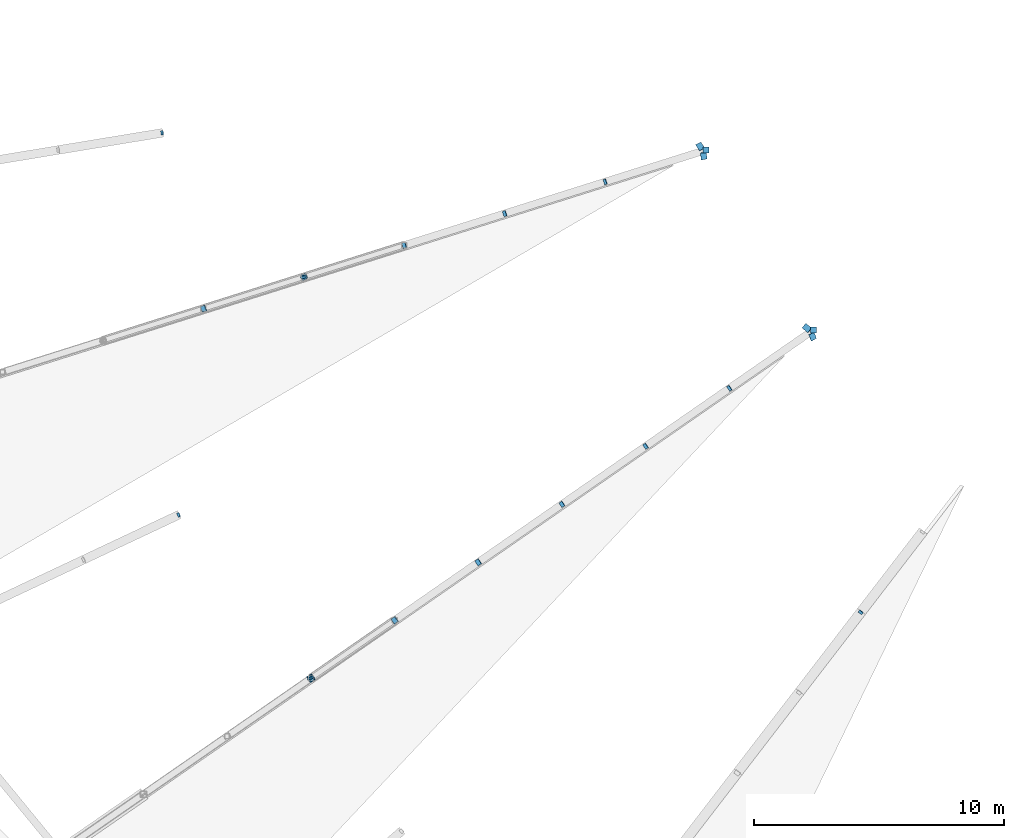
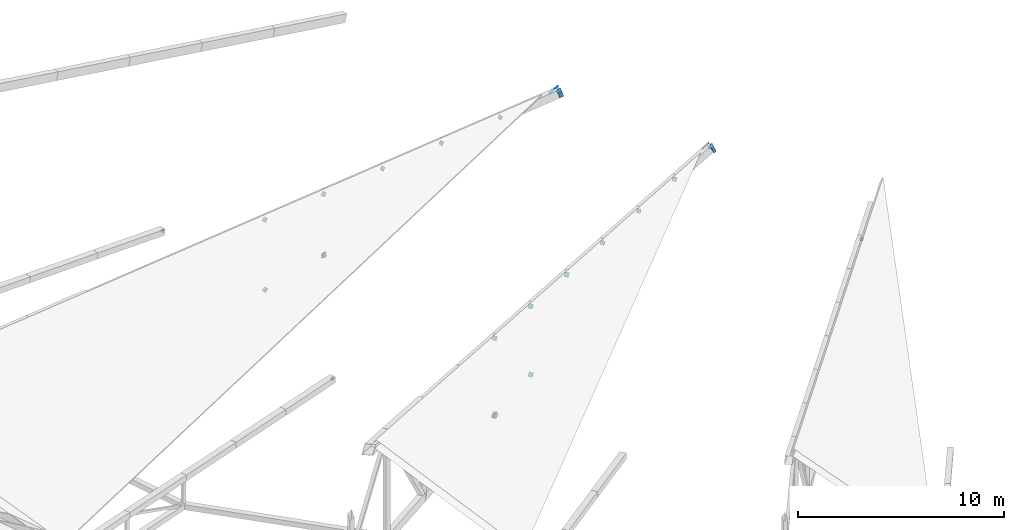
# One storey, part 126 of 188: 28 discrete accessories.
"""IFC4 building model written with IfcOpenShell, lengths in metres."""

import ifcopenshell
import ifcopenshell.guid

model = None  # the IFC model being written
_history = None  # IfcOwnerHistory: only IFC2X3 demands one
_inside = {}  # id of a spatial element -> (the spatial element, [elements in it])
_under = {}  # id of a project, library or spatial element -> (it, [spatial elements below it])
_declared = {}  # id of a project -> (the project, [libraries it declares])
_typed = {}  # id of a type object -> (the type object, [elements of that type])
_made_of = {}  # id of a material, layer set ... -> (it, [elements and type objects made of it])


def new_model(schema):
    """Start an empty IFC model of exactly this schema.

    Asked for "IFC4X3", IfcOpenShell would pick the latest addendum, in which some entities
    have other attributes; the version numbers below select the first issue.
    IFC2X3 requires an IfcOwnerHistory on every rooted entity: one is made here for all.
    """
    global model, _history
    if schema == "IFC4X3":
        model = ifcopenshell.file(schema_version=(4, 3, 0, 0))
    else:
        model = ifcopenshell.file(schema=schema)
    _inside.clear()
    _under.clear()
    _declared.clear()
    _typed.clear()
    _made_of.clear()
    _history = None
    if model.schema == "IFC2X3":
        org = make("IfcOrganization", Name="unknown")
        user = make(
            "IfcPersonAndOrganization",
            ThePerson=make("IfcPerson", FamilyName="unknown"),
            TheOrganization=org,
        )
        app = make(
            "IfcApplication",
            ApplicationDeveloper=org,
            Version="unknown",
            ApplicationFullName="unknown",
            ApplicationIdentifier="unknown",
        )
        _history = make(
            "IfcOwnerHistory",
            OwningUser=user,
            OwningApplication=app,
            ChangeAction="ADDED",
            CreationDate=0,
        )
    return model


def make(cls, **values):
    """One entity of the class cls with the attributes given. An attribute that is None is left unset."""
    return model.create_entity(
        cls, **{name: value for name, value in values.items() if value is not None}
    )


def rooted(cls, **values):
    """An entity with a GlobalId (a new one), such as an element, a storey or a relation."""
    return make(cls, GlobalId=ifcopenshell.guid.new(), OwnerHistory=_history, **values)


def si_unit(unit_type, name, prefix=None):
    """IfcSIUnit, for example si_unit("LENGTHUNIT", "METRE", prefix="MILLI")."""
    return make("IfcSIUnit", UnitType=unit_type, Prefix=prefix, Name=name)


def assignment(units):
    """IfcUnitAssignment: the units of a project."""
    return None if units is None else make("IfcUnitAssignment", Units=units)


def point(xyz):
    """IfcCartesianPoint."""
    return None if xyz is None else make("IfcCartesianPoint", Coordinates=xyz)


def direction(xyz):
    """IfcDirection."""
    return None if xyz is None else make("IfcDirection", DirectionRatios=xyz)


def frame(location, z_axis=None, x_axis=None):
    """IfcAxis2Placement3D, a coordinate frame: its origin and axes. An axis left out is left unset."""
    return make(
        "IfcAxis2Placement3D",
        Location=point(location),
        Axis=direction(z_axis),
        RefDirection=direction(x_axis),
    )


def frame_2d(location, x_axis=None):
    """IfcAxis2Placement2D, a coordinate frame in the plane: its origin and x axis."""
    return make(
        "IfcAxis2Placement2D", Location=point(location), RefDirection=direction(x_axis)
    )


def origin():
    """The frame at (0, 0, 0) with its axes left unset."""
    return frame((0.0, 0.0, 0.0))


def origin_2d():
    """The frame at (0, 0) in the plane with its x axis left unset."""
    return frame_2d((0.0, 0.0))


def place(relative_to, where):
    """IfcLocalPlacement: puts the frame where relative to a parent placement (None: the world)."""
    return make(
        "IfcLocalPlacement", PlacementRelTo=relative_to, RelativePlacement=where
    )


def context(
    kind, dimensions, precision=None, world=None, true_north=None, identifier=None
):
    """IfcGeometricRepresentationContext, for example the 3D "Model" context."""
    return make(
        "IfcGeometricRepresentationContext",
        ContextIdentifier=identifier,
        ContextType=kind,
        CoordinateSpaceDimension=dimensions,
        Precision=precision,
        WorldCoordinateSystem=world,
        TrueNorth=true_north,
    )


def subcontext(parent, identifier, kind, view, scale=None):
    """IfcGeometricRepresentationSubContext, for example "Body" below "Model"."""
    return make(
        "IfcGeometricRepresentationSubContext",
        ContextIdentifier=identifier,
        ContextType=kind,
        ParentContext=parent,
        TargetScale=scale,
        TargetView=view,
    )


def project(units=None, contexts=None):
    """IfcProject with its units and contexts."""
    return rooted(
        "IfcProject",
        Name="project",
        RepresentationContexts=contexts,
        UnitsInContext=assignment(units),
    )


def spatial(cls, under=None, at=None, **own):
    """A site, building, storey or space (cls), placed at a placement, below another one or the project."""
    s = rooted(cls, ObjectPlacement=at, **own)
    if under is not None:
        _under.setdefault(under.id(), (under, []))[1].append(s)
    return s


def profile(cls, at=None, kind="AREA", **sizes):
    """A parametric profile (cls). Its sizes go by their IFC names, for example OverallWidth=200.0."""
    return make(cls, ProfileType=kind, Position=at, **sizes)


def rectangle(**sizes):
    """IfcRectangleProfileDef."""
    return profile("IfcRectangleProfileDef", **sizes)


def extrude(swept, where, along, depth):
    """IfcExtrudedAreaSolid: the profile swept, set in the frame where, extruded along a direction by depth."""
    return make(
        "IfcExtrudedAreaSolid",
        SweptArea=swept,
        Position=where,
        ExtrudedDirection=direction(along),
        Depth=depth,
    )


def shape(context_of_items, identifier, shape_type, items):
    """IfcShapeRepresentation: the items that make up one representation, for example the "Body"."""
    return make(
        "IfcShapeRepresentation",
        ContextOfItems=context_of_items,
        RepresentationIdentifier=identifier,
        RepresentationType=shape_type,
        Items=items,
    )


def material(Name=None, Category=None):
    """IfcMaterial."""
    return make("IfcMaterial", Name=Name, Category=Category)


def material_profile(
    of_material, cross_section, Name=None, Category=None, Priority=None
):
    """IfcMaterialProfile: a cross section and its material."""
    return make(
        "IfcMaterialProfile",
        Name=Name,
        Material=of_material,
        Profile=cross_section,
        Priority=Priority,
        Category=Category,
    )


def profile_set(profiles, Name=None, composite=None):
    """IfcMaterialProfileSet."""
    return make(
        "IfcMaterialProfileSet",
        Name=Name,
        MaterialProfiles=profiles,
        CompositeProfile=composite,
    )


def made_of(thing, what):
    """Note that an element or type object is made of a material, layer set ...; save() writes the relation."""
    if what is not None:
        _made_of.setdefault(what.id(), (what, []))[1].append(thing)
    return thing


def type_object(cls, material=None, **own):
    """A type object (cls), such as IfcWallType, which elements share."""
    return made_of(rooted(cls, **own), material)


def element(
    cls,
    number,
    at=None,
    inside=None,
    cuts=None,
    type_object=None,
    material=None,
    context=None,
    identifier="Body",
    shape_type=None,
    held_by="IfcProductDefinitionShape",
    body=None,
    shapes=None,
    **own,
):
    """One element of the class cls, such as IfcWall. Its Tag is "e" and its number.

    at: its placement. inside: the storey or other place that contains it. cuts: it is an
    opening in that element (IfcRelVoidsElement). A single representation is given by context,
    identifier, shape_type and body (its items); several are given by shapes. held_by: the class
    of the entity that holds the representations. save() writes the other relations.
    """
    e = rooted(cls, Tag="e%d" % number, ObjectPlacement=at, **own)
    if body is not None:
        shapes = [shape(context, identifier, shape_type, body)]
    if shapes is not None:
        e.Representation = make(held_by, Representations=shapes)
    if inside is not None:
        _inside.setdefault(inside.id(), (inside, []))[1].append(e)
    if cuts is not None:
        rooted(
            "IfcRelVoidsElement", RelatingBuildingElement=cuts, RelatedOpeningElement=e
        )
    if type_object is not None:
        _typed.setdefault(type_object.id(), (type_object, []))[1].append(e)
    return made_of(e, material)


def aggregate(whole, parts):
    """IfcRelAggregates: a whole, such as a stair, and the parts it consists of."""
    return rooted("IfcRelAggregates", RelatingObject=whole, RelatedObjects=parts)


def save(model, path):
    """Write the relations noted so far, then the file.

    IfcRelAggregates (storeys below a building ...), IfcRelContainedInSpatialStructure (elements
    in a storey), IfcRelDefinesByType, IfcRelAssociatesMaterial and IfcRelDeclares: one each for
    every whole, place, type object, material and project.
    """
    for whole, parts in _under.values():
        aggregate(whole, parts)
    for where, things in _inside.values():
        rooted(
            "IfcRelContainedInSpatialStructure",
            RelatedElements=things,
            RelatingStructure=where,
        )
    for kind, things in _typed.values():
        rooted("IfcRelDefinesByType", RelatedObjects=things, RelatingType=kind)
    for what, things in _made_of.values():
        rooted("IfcRelAssociatesMaterial", RelatedObjects=things, RelatingMaterial=what)
    for by, libraries in _declared.values():
        rooted("IfcRelDeclares", RelatingContext=by, RelatedDefinitions=libraries)
    model.write(path)


model = new_model("IFC4")

# Units and contexts
model_context = context("Model", 3, precision=1e-05, world=origin(), true_north=direction((0.0, 1.0)))
body_context = subcontext(model_context, "Body", "Model", "MODEL_VIEW")
ifc_project = project(units=[si_unit("LENGTHUNIT", "METRE"), si_unit("AREAUNIT", "SQUARE_METRE"), si_unit("VOLUMEUNIT", "CUBIC_METRE"), si_unit("PLANEANGLEUNIT", "RADIAN"), si_unit("MASSUNIT", "GRAM", prefix="KILO")], contexts=[model_context])

# Site, building, storey
site_placement = place(None, origin())
site = spatial("IfcSite", under=ifc_project, at=site_placement, CompositionType="ELEMENT")
building_placement = place(site_placement, origin())
building = spatial("IfcBuilding", under=site, at=building_placement, Name="Meseta Stadium", CompositionType="ELEMENT")
storey_placement = place(building_placement, frame((0.0, 0.0, 30.0)))
storey = spatial("IfcBuildingStorey", under=building, at=storey_placement, Name="ROOF", CompositionType="ELEMENT", Elevation=30.0)

# Discrete accessories
ifc_material_1 = material(Name="Steel S355", Category="steel")
ifc_material_profile_1 = material_profile(ifc_material_1, rectangle(XDim=0.179931640625, YDim=0.179931640625, at=origin_2d()), Name="PL 180x180")
ifc_profile_set_1 = profile_set([ifc_material_profile_1], Name="Steel S355")
discrete_accessory_type_1 = type_object("IfcDiscreteAccessoryType", Name="End plate 180x180x20", PredefinedType="ANCHORPLATE", material=ifc_profile_set_1)
for number, where, z_axis, x_axis, name in (
    (1, (-67.660400390625, -51.060302734375, 0.70556640625), (-0.873552606789, -0.135339136263, 0.467535198), (0.153102994509, -0.988210237284, 0.0), "End plate of ROOF TRUSS RT-37 diagonal"),
    (2, (-66.999755859375, -66.3642578125, 1.00439453125), (-0.802836314561, -0.382891165406, 0.456999132904), (0.430472524882, -0.902603681203, 0.0), "End plate of ROOF TRUSS RT-39 diagonal"),
):
    element("IfcDiscreteAccessory", number, at=place(storey_placement, frame(where, z_axis=z_axis, x_axis=x_axis)), inside=storey, type_object=discrete_accessory_type_1, Name=name, PredefinedType="ANCHORPLATE", context=body_context, shape_type="SweptSolid", body=[
        extrude(rectangle(XDim=0.179931640625, YDim=0.179931640625, at=origin_2d()), origin(), (0.0, 0.0, 1.0), 0.019775390625),
    ])
discrete_accessory_1_placement = place(storey_placement, frame((-39.672607421875, -70.265380859375, 2.05078125), z_axis=(-0.500409485234, -0.659075907382, 0.561435032214), x_axis=(0.79644631635, -0.604709240191, 0.0)))
element("IfcDiscreteAccessory", 3, at=discrete_accessory_1_placement, inside=storey, type_object=discrete_accessory_type_1, Name="End plate of ROOF TRUSS RT-42 diagonal", PredefinedType="ANCHORPLATE", context=body_context, shape_type="SweptSolid", body=[
    extrude(rectangle(XDim=0.179931640625, YDim=0.179931640625, at=origin_2d()), origin(), (0.0, 0.0, 1.0), 0.02001953125),
])
ifc_material_2 = material(Name="Steel S355", Category="steel")
ifc_material_profile_2 = material_profile(ifc_material_2, rectangle(XDim=0.219970703125, YDim=0.219970703125, at=origin_2d()), Name="PL 220x220")
ifc_profile_set_2 = profile_set([ifc_material_profile_2], Name="Steel S355")
discrete_accessory_type_2 = type_object("IfcDiscreteAccessoryType", Name="End plate 220x220x20", PredefinedType="ANCHORPLATE", material=ifc_profile_set_2)
for number, where, z_axis, x_axis, name in (
    (4, (-49.90966796875, -53.0205078125, 2.36474609375), (-0.856465372407, -0.269174831328, 0.440467905809), (0.29982659674, -0.953993716901, 0.0), "End plate of ROOF TRUSS RT-38 diagonal"),
    (5, (-53.93603515625, -54.2919921875, 3.035400390625), (-0.809587449693, -0.25759600672, 0.527458489951), (0.303203657277, -0.952925780013, 0.0), "End plate of ROOF TRUSS RT-38 diagonal"),
):
    element("IfcDiscreteAccessory", number, at=place(storey_placement, frame(where, z_axis=z_axis, x_axis=x_axis)), inside=storey, type_object=discrete_accessory_type_2, Name=name, PredefinedType="ANCHORPLATE", context=body_context, shape_type="SweptSolid", body=[
        extrude(rectangle(XDim=0.219970703125, YDim=0.219970703125, at=origin_2d()), origin(), (0.0, 0.0, 1.0), 0.02001953125),
    ])
for number, where, z_axis, x_axis, name in (
    (6, (-57.962158203125, -55.563232421875, 3.7060546875), (-0.760140358349, -0.241314399476, 0.60328599869), (0.302579132427, -0.953124267145, 0.0), "End plate of ROOF TRUSS RT-38 diagonal"),
    (7, (-44.9345703125, -61.28857421875, 1.99267578125), (-0.727179248346, -0.509025473842, 0.460546857286), (0.573462344363, -0.819231920519, 0.0), "End plate of ROOF TRUSS RT-40 diagonal"),
):
    element("IfcDiscreteAccessory", number, at=place(storey_placement, frame(where, z_axis=z_axis, x_axis=x_axis)), inside=storey, type_object=discrete_accessory_type_2, Name=name, PredefinedType="ANCHORPLATE", context=body_context, shape_type="SweptSolid", body=[
        extrude(rectangle(XDim=0.219970703125, YDim=0.219970703125, at=origin_2d()), origin(), (0.0, 0.0, 1.0), 0.020263671875),
    ])
for number, where, z_axis, x_axis, name in (
    (8, (-48.289794921875, -63.61376953125, 2.6962890625), (-0.685069750249, -0.477102147495, 0.550502477878), (0.57149375376, -0.820606415655, 0.0), "End plate of ROOF TRUSS RT-40 diagonal"),
    (9, (-51.644775390625, -65.938720703125, 3.39990234375), (-0.648563736756, -0.452770910566, 0.611852581845), (0.572423567845, -0.81995808367, 0.0), "End plate of ROOF TRUSS RT-40 diagonal"),
):
    element("IfcDiscreteAccessory", number, at=place(storey_placement, frame(where, z_axis=z_axis, x_axis=x_axis)), inside=storey, type_object=discrete_accessory_type_2, Name=name, PredefinedType="ANCHORPLATE", context=body_context, shape_type="SweptSolid", body=[
        extrude(rectangle(XDim=0.219970703125, YDim=0.219970703125, at=origin_2d()), origin(), (0.0, 0.0, 1.0), 0.02001953125),
    ])
ifc_material_3 = material(Name="Steel S355", Category="steel")
ifc_material_profile_3 = material_profile(ifc_material_3, rectangle(XDim=0.239990234375, YDim=0.239990234375, at=origin_2d()), Name="PL 240x240")
ifc_profile_set_3 = profile_set([ifc_material_profile_3], Name="Steel S355")
discrete_accessory_type_3 = type_object("IfcDiscreteAccessoryType", Name="End plate 240x240x20", PredefinedType="ANCHORPLATE", material=ifc_profile_set_3)
for number, where, z_axis, x_axis, name in (
    (10, (-45.883544921875, -51.749267578125, 1.69384765625), (0.0, 0.0, 1.0), (1.0, 0.0, 0.0), "End plate of ROOF TRUSS RT-38 post"),
    (11, (-61.988525390625, -56.83447265625, 4.376953125), (-0.717699953217, -0.231123713748, 0.656877923283), (0.306531366089, -0.951860557857, 0.0), "End plate of ROOF TRUSS RT-38 diagonal"),
    (12, (-61.97509765625, -56.830322265625, 0.77001953125), (-0.67303784003, -0.208029877827, 0.709748994941), (0.295306270849, -0.955402640983, 0.0), "End plate of ROOF TRUSS RT-38 diagonal"),
    (13, (-66.0146484375, -58.10595703125, 5.047607421875), (-0.67303784003, -0.208029877827, 0.709748994941), (0.295306270849, -0.955402640983, 0.0), "End plate of ROOF TRUSS RT-38 diagonal"),
    (14, (-66.002197265625, -58.101806640625, 0.891845703125), (-0.621489248699, -0.2071630829, 0.755535949399), (0.316227766017, -0.948683298051, 0.0), "End plate of ROOF TRUSS RT-38 diagonal"),
    (15, (-41.57958984375, -58.963623046875, 1.2890625), (0.0, 0.0, 1.0), (1.0, 0.0, 0.0), "End plate of ROOF TRUSS RT-40 post"),
    (16, (-55.0, -68.263671875, 4.103515625), (-0.60858061945, -0.426006433615, 0.669438681395), (0.573462344363, -0.819231920519, 0.0), "End plate of ROOF TRUSS RT-40 diagonal"),
    (17, (-58.35498046875, -70.5888671875, 4.80712890625), (-0.573597420318, -0.390534413834, 0.720047825506), (0.562790977082, -0.826599247589, 0.0), "End plate of ROOF TRUSS RT-40 diagonal"),
    (18, (-58.34423828125, -70.581298828125, 0.768310546875), (-0.535908336511, -0.377571782542, 0.755143565083), (0.575953532433, -0.817482433131, 0.0), "End plate of ROOF TRUSS RT-40 diagonal"),
    (19, (-61.710205078125, -72.913818359375, 5.5107421875), (-0.538349662656, -0.367056588174, 0.75858361556), (0.563336824642, -0.826227342808, 0.0), "End plate of ROOF TRUSS RT-40 diagonal"),
):
    element("IfcDiscreteAccessory", number, at=place(storey_placement, frame(where, z_axis=z_axis, x_axis=x_axis)), inside=storey, type_object=discrete_accessory_type_3, Name=name, PredefinedType="ANCHORPLATE", context=body_context, shape_type="SweptSolid", body=[
        extrude(rectangle(XDim=0.239990234375, YDim=0.239990234375, at=origin_2d()), origin(), (0.0, 0.0, 1.0), 0.02001953125),
    ])
ifc_material_4 = material(Name="Steel S355", Category="steel")
ifc_material_profile_4 = material_profile(ifc_material_4, rectangle(XDim=0.239990234375, YDim=0.43994140625, at=origin_2d()), Name="PL 240x440")
ifc_profile_set_4 = profile_set([ifc_material_profile_4], Name="Steel S355")
discrete_accessory_type_4 = type_object("IfcDiscreteAccessoryType", Name="End plate 240x440x20", PredefinedType="ANCHORPLATE", material=ifc_profile_set_4)
for number, where, z_axis, x_axis, name in (
    (20, (-45.9716796875, -51.9775390625, 1.8037109375), (0.17020097317, -0.765904379266, 0.620017830835), (0.983527182232, 0.170905489676, -0.058869307875), "End plate of TIP RING BEAM 38"),
    (21, (-46.112548828125, -51.600830078125, 1.824951171875), (0.3168376562, -0.694605630899, -0.645861376099), (0.881322221354, 0.467273137782, -0.070192284875), "End plate of TIP RING BEAM 39"),
    (22, (-41.613037109375, -59.21533203125, 1.396728515625), (0.475362383172, -0.646005289952, 0.597250173729), (0.851185243335, 0.50939399671, -0.12649678907), "End plate of TIP RING BEAM 40"),
    (23, (-41.840576171875, -58.87841796875, 1.414306640625), (0.551825405536, -0.490511471588, -0.674453273433), (0.655892268829, 0.754754725312, -0.012273398458), "End plate of TIP RING BEAM 41"),
):
    element("IfcDiscreteAccessory", number, at=place(storey_placement, frame(where, z_axis=z_axis, x_axis=x_axis)), inside=storey, type_object=discrete_accessory_type_4, Name=name, PredefinedType="ANCHORPLATE", context=body_context, shape_type="SweptSolid", body=[
        extrude(rectangle(XDim=0.239990234375, YDim=0.43994140625, at=origin_2d()), origin(), (0.0, 0.0, 1.0), 0.02001953125),
    ])
ifc_material_5 = material(Name="Steel S355", Category="steel")
ifc_material_profile_5 = material_profile(ifc_material_5, rectangle(XDim=0.260009765625, YDim=0.260009765625, at=origin_2d()), Name="PL 260x260")
ifc_profile_set_5 = profile_set([ifc_material_profile_5], Name="Steel S355")
discrete_accessory_type_5 = type_object("IfcDiscreteAccessoryType", Name="End plate 260x260x20", PredefinedType="ANCHORPLATE", material=ifc_profile_set_5)
discrete_accessory_2_placement = place(storey_placement, frame((-61.988525390625, -56.83447265625, 0.7841796875), z_axis=(0.217818091633, -0.919676386895, 0.326727137449), x_axis=(0.97308028749, 0.230466383879, 0.0)))
element("IfcDiscreteAccessory", 24, at=discrete_accessory_2_placement, inside=storey, type_object=discrete_accessory_type_5, Name="End plate of ROOF TRUSS STRUT RT-37/38", PredefinedType="ANCHORPLATE", context=body_context, shape_type="SweptSolid", body=[
    extrude(rectangle(XDim=0.260009765625, YDim=0.260009765625, at=origin_2d()), origin(), (0.0, 0.0, 1.0), 0.020263671875),
])
discrete_accessory_3_placement = place(storey_placement, frame((-61.99609375, -56.8173828125, 0.791259765625), z_axis=(0.378668763996, -0.855058499345, -0.354238521157), x_axis=(0.914349389647, 0.404926158272, 0.0)))
element("IfcDiscreteAccessory", 25, at=discrete_accessory_3_placement, inside=storey, type_object=discrete_accessory_type_5, Name="End plate of ROOF TRUSS STRUT RT-38/39", PredefinedType="ANCHORPLATE", context=body_context, shape_type="SweptSolid", body=[
    extrude(rectangle(XDim=0.260009765625, YDim=0.260009765625, at=origin_2d()), origin(), (0.0, 0.0, 1.0), 0.02001953125),
])
discrete_accessory_4_placement = place(storey_placement, frame((-61.710205078125, -72.913818359375, 0.962158203125), z_axis=(0.617286862498, -0.762530830144, 0.193658623529), x_axis=(0.777244870707, 0.629198228668, 0.0)))
element("IfcDiscreteAccessory", 26, at=discrete_accessory_4_placement, inside=storey, type_object=discrete_accessory_type_5, Name="End plate of ROOF TRUSS STRUT RT-39/40", PredefinedType="ANCHORPLATE", context=body_context, shape_type="SweptSolid", body=[
    extrude(rectangle(XDim=0.260009765625, YDim=0.260009765625, at=origin_2d()), origin(), (0.0, 0.0, 1.0), 0.020263671875),
])
discrete_accessory_5_placement = place(storey_placement, frame((-61.7197265625, -72.8974609375, 0.96875), z_axis=(0.475080143347, -0.816163323186, -0.328901637702), x_axis=(0.864246375176, 0.50306878555, 0.0)))
element("IfcDiscreteAccessory", 27, at=discrete_accessory_5_placement, inside=storey, type_object=discrete_accessory_type_5, Name="End plate of ROOF TRUSS STRUT RT-40/41", PredefinedType="ANCHORPLATE", context=body_context, shape_type="SweptSolid", body=[
    extrude(rectangle(XDim=0.260009765625, YDim=0.260009765625, at=origin_2d()), origin(), (0.0, 0.0, 1.0), 0.02001953125),
])
ifc_material_6 = material(Name="Steel S355", Category="steel")
ifc_material_profile_6 = material_profile(ifc_material_6, rectangle(XDim=0.2900390625, YDim=0.2900390625, at=origin_2d()), Name="PL 290x290")
ifc_profile_set_6 = profile_set([ifc_material_profile_6], Name="Steel S355")
discrete_accessory_type_6 = type_object("IfcDiscreteAccessoryType", Name="End plate 290x290x20", PredefinedType="ANCHORPLATE", material=ifc_profile_set_6)
discrete_accessory_6_placement = place(storey_placement, frame((-61.699951171875, -72.90673828125, 0.9462890625), z_axis=(-0.508205005844, -0.350903456416, 0.786507747139), x_axis=(0.568190717083, -0.822896900602, 0.0)))
element("IfcDiscreteAccessory", 28, at=discrete_accessory_6_placement, inside=storey, type_object=discrete_accessory_type_6, Name="End plate of ROOF TRUSS RT-40 diagonal", PredefinedType="ANCHORPLATE", context=body_context, shape_type="SweptSolid", body=[
    extrude(rectangle(XDim=0.2900390625, YDim=0.2900390625, at=origin_2d()), origin(), (0.0, 0.0, 1.0), 0.020263671875),
])

save(model, "model.ifc")
